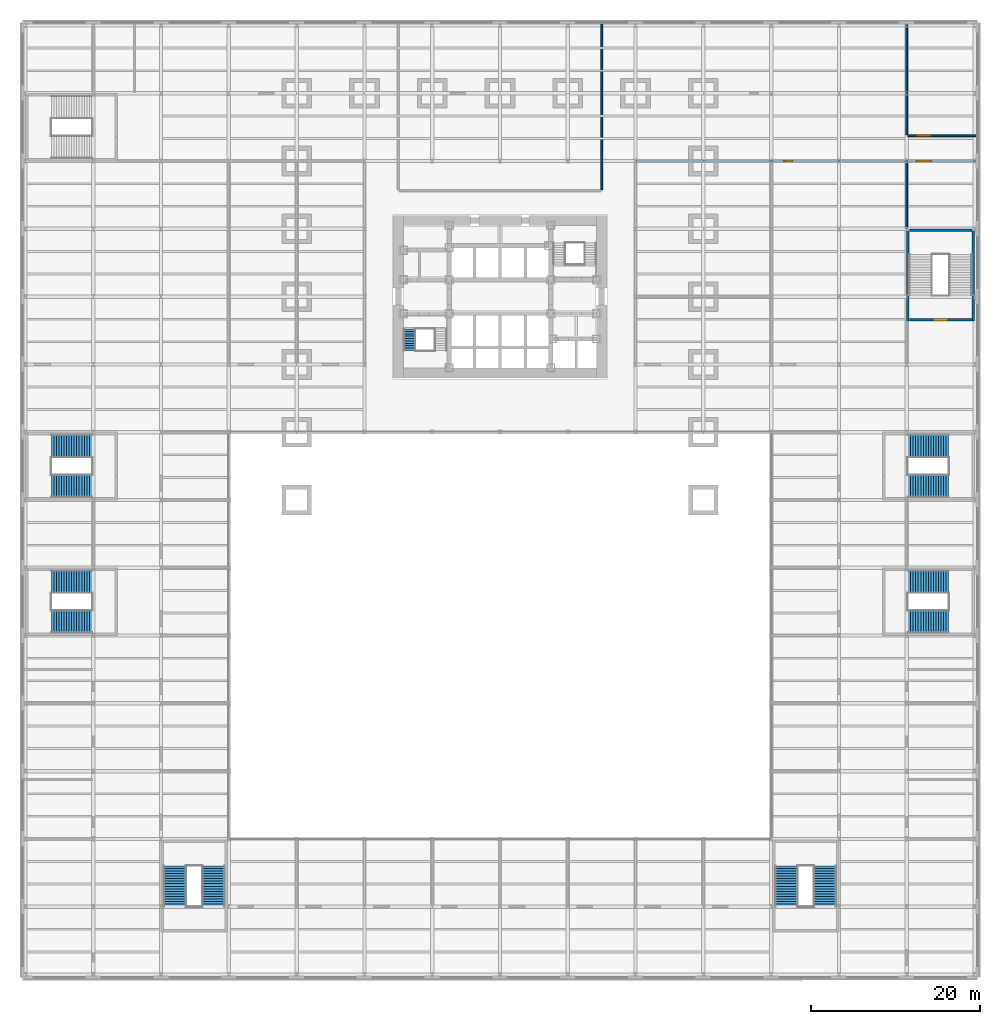
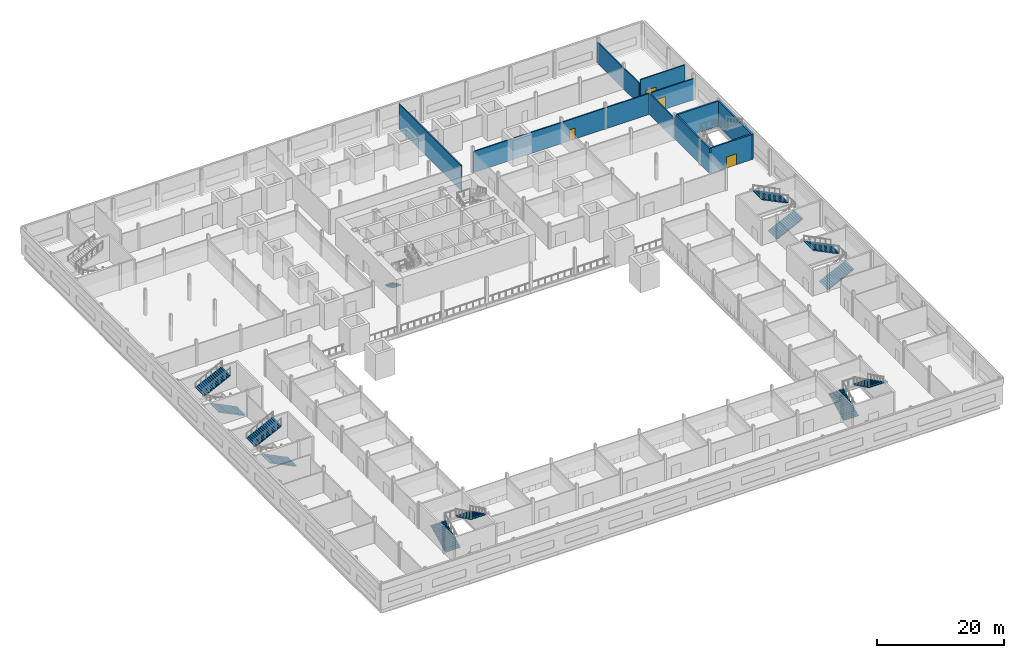
# One storey, part 16 of 22: 13 stair flights, 9 walls, 4 doors, 4 openings, 7 elements without a shape of their own.
"""IFC4 building model written with IfcOpenShell, lengths in metres."""

from ifc_helpers import new_model, si_unit, direction, frame, frame_2d, origin, place, context, subcontext, project, spatial, polyline, rectangle, outline, extrude, material, layer, layer_set, type_object, element, fill, aggregate, save


model = new_model("IFC4")

# Units and contexts
model_context = context("Model", 3, precision=1e-05, world=origin(), true_north=direction((0.0, 1.0)))
body_context = subcontext(model_context, "Body", "Model", "MODEL_VIEW")
ifc_project = project(units=[si_unit("LENGTHUNIT", "METRE"), si_unit("AREAUNIT", "SQUARE_METRE"), si_unit("VOLUMEUNIT", "CUBIC_METRE"), si_unit("PLANEANGLEUNIT", "RADIAN"), si_unit("MASSUNIT", "GRAM", prefix="KILO")], contexts=[model_context])

# Site, building, storey
site_placement = place(None, origin())
site = spatial("IfcSite", under=ifc_project, at=site_placement, CompositionType="ELEMENT")
building_placement = place(site_placement, origin())
building = spatial("IfcBuilding", under=site, at=building_placement, Name="Daluyong Arena Tower", CompositionType="ELEMENT")
storey_placement = place(building_placement, frame((0.0, 0.0, 9.89990234375)))
storey = spatial("IfcBuildingStorey", under=building, at=storey_placement, Name="L02", CompositionType="ELEMENT", Elevation=9.89990234375)

# Wall, openings, doors
ifc_material_1 = material(Name="Concrete block partition", Category="concrete")
ifc_layer_1 = layer(ifc_material_1, 0.199951171875)
ifc_layer_set_1 = layer_set([ifc_layer_1], Name="Concrete block partition")
wall_type_1 = type_object("IfcWallType", Name="Partition 200", PredefinedType="PARTITIONING", material=ifc_layer_set_1)
wall_1_placement = place(storey_placement, frame((72.10009765625, 96.0, 0.0), z_axis=(0.0, 0.0, 1.0), x_axis=(1.0, 0.0, 0.0)))
wall_1 = element("IfcWall", 1, at=wall_1_placement, inside=storey, type_object=wall_type_1, Name="partition at L02", PredefinedType="PARTITIONING", context=body_context, shape_type="SweptSolid", body=[
    extrude(rectangle(XDim=40.0498046875, YDim=0.199951171875, at=frame_2d((20.02490234375, 0.0))), origin(), (0.0, 0.0, 1.0), 4.02783203125),
])
opening_1_placement = place(wall_1_placement, frame((17.39990234375, 0.0, 0.0)))
opening_1 = element("IfcOpeningElement", 2, at=opening_1_placement, cuts=wall_1, Name="Opening 02060", PredefinedType="OPENING", context=body_context, shape_type="SweptSolid", body=[
    extrude(rectangle(XDim=1.0, YDim=2.10009765625, at=frame_2d((0.5, 1.050048828125))), frame((0.0, 0.10986328125, 0.0), z_axis=(0.0, -1.0, 0.0), x_axis=(1.0, 0.0, 0.0)), (0.0, 0.0, 1.0), 0.219970703125),
])
opening_2_placement = place(wall_1_placement, frame((33.0, 0.0, 0.0)))
opening_2 = element("IfcOpeningElement", 3, at=opening_2_placement, cuts=wall_1, Name="Opening 02061", PredefinedType="OPENING", context=body_context, shape_type="SweptSolid", body=[
    extrude(rectangle(XDim=1.800048828125, YDim=2.39990234375, at=frame_2d((0.89990234375, 1.199951171875))), frame((0.0, 0.10986328125, 0.0), z_axis=(0.0, -1.0, 0.0), x_axis=(1.0, 0.0, 0.0)), (0.0, 0.0, 1.0), 0.219970703125),
])
ifc_material_2 = material(Name="Timber door", Category="wood")
door_type_1 = type_object("IfcDoorType", Name="Assembly double door 1800", OperationType="DOUBLE_DOOR_DOUBLE_SWING", PredefinedType="DOOR", material=ifc_material_2)
door_1_placement = place(opening_2_placement, origin())
door_1 = element("IfcDoor", 4, at=door_1_placement, inside=storey, type_object=door_type_1, Name="club lounge door 02061", OperationType="DOUBLE_DOOR_DOUBLE_SWING", OverallHeight=2.39990234375, OverallWidth=1.800048828125, PredefinedType="DOOR", context=body_context, shape_type="SweptSolid", body=[
    extrude(rectangle(XDim=1.800048828125, YDim=2.39990234375, at=frame_2d((0.89990234375, 1.199951171875))), frame((0.0, 0.099609375, 0.0), z_axis=(0.0, -1.0, 0.0), x_axis=(1.0, 0.0, 0.0)), (0.0, 0.0, 1.0), 0.199462890625),
])
fill(opening_2, door_1)
ifc_material_3 = material(Name="Timber door", Category="wood")
door_type_2 = type_object("IfcDoorType", Name="Room door 1000", OperationType="SINGLE_SWING_LEFT", PredefinedType="DOOR", material=ifc_material_3)
door_2_placement = place(opening_1_placement, origin())
door_2 = element("IfcDoor", 5, at=door_2_placement, inside=storey, type_object=door_type_2, Name="club kitchen door 02060", OperationType="SINGLE_SWING_LEFT", OverallHeight=2.10009765625, OverallWidth=1.0, PredefinedType="DOOR", context=body_context, shape_type="SweptSolid", body=[
    extrude(rectangle(XDim=1.0, YDim=2.10009765625, at=frame_2d((0.5, 1.050048828125))), frame((0.0, 0.099609375, 0.0), z_axis=(0.0, -1.0, 0.0), x_axis=(1.0, 0.0, 0.0)), (0.0, 0.0, 1.0), 0.199462890625),
])
fill(opening_1, door_2)

# Wall, opening, door
wall_2_placement = place(storey_placement, frame((104.10009765625, 99.0, 0.0), z_axis=(0.0, 0.0, 1.0), x_axis=(1.0, 0.0, 0.0)))
wall_2 = element("IfcWall", 6, at=wall_2_placement, inside=storey, type_object=wall_type_1, Name="partition at L02", PredefinedType="PARTITIONING", context=body_context, shape_type="SweptSolid", body=[
    extrude(rectangle(XDim=8.0498046875, YDim=0.199951171875, at=frame_2d((4.02490234375, 0.0))), origin(), (0.0, 0.0, 1.0), 4.800048828125),
])
opening_3_placement = place(wall_2_placement, frame((1.0, 0.0, 0.0)))
opening_3 = element("IfcOpeningElement", 7, at=opening_3_placement, cuts=wall_2, Name="Opening 02067", PredefinedType="OPENING", context=body_context, shape_type="SweptSolid", body=[
    extrude(rectangle(XDim=1.800048828125, YDim=2.39990234375, at=frame_2d((0.89990234375, 1.199951171875))), frame((0.0, 0.10986328125, 0.0), z_axis=(0.0, -1.0, 0.0), x_axis=(1.0, 0.0, 0.0)), (0.0, 0.0, 1.0), 0.219970703125),
])
door_3_placement = place(opening_3_placement, origin())
door_3 = element("IfcDoor", 8, at=door_3_placement, inside=storey, type_object=door_type_1, Name="club bar door 02067", OperationType="DOUBLE_DOOR_DOUBLE_SWING", OverallHeight=2.39990234375, OverallWidth=1.800048828125, PredefinedType="DOOR", context=body_context, shape_type="SweptSolid", body=[
    extrude(rectangle(XDim=1.800048828125, YDim=2.39990234375, at=frame_2d((0.89990234375, 1.199951171875))), frame((0.0, 0.099609375, 0.0), z_axis=(0.0, -1.0, 0.0), x_axis=(1.0, 0.0, 0.0)), (0.0, 0.0, 1.0), 0.199462890625),
])
fill(opening_3, door_3)

# Walls
wall_3_placement = place(storey_placement, frame((68.0, 92.60009765625, 0.0), z_axis=(0.0, 0.0, 1.0), x_axis=(0.0, 1.0, 0.0)))
element("IfcWall", 9, at=wall_3_placement, inside=storey, type_object=wall_type_1, Name="partition at L02", PredefinedType="PARTITIONING", context=body_context, shape_type="SweptSolid", body=[
    extrude(rectangle(XDim=19.5498046875, YDim=0.199951171875, at=frame_2d((9.77490234375, 0.0))), origin(), (0.0, 0.0, 1.0), 4.800048828125),
])
wall_4_placement = place(storey_placement, frame((104.0, 88.10009765625, 0.0), z_axis=(0.0, 0.0, 1.0), x_axis=(0.0, 1.0, 0.0)))
element("IfcWall", 10, at=wall_4_placement, inside=storey, type_object=wall_type_1, Name="partition at L02", PredefinedType="PARTITIONING", context=body_context, shape_type="SweptSolid", body=[
    extrude(rectangle(XDim=7.7998046875, YDim=0.199951171875, at=frame_2d((3.89990234375, 0.0))), origin(), (0.0, 0.0, 1.0), 4.02783203125),
])
wall_5_placement = place(storey_placement, frame((104.0, 99.10009765625, 0.0), z_axis=(0.0, 0.0, 1.0), x_axis=(0.0, 1.0, 0.0)))
element("IfcWall", 11, at=wall_5_placement, inside=storey, type_object=wall_type_1, Name="partition at L02", PredefinedType="PARTITIONING", context=body_context, shape_type="SweptSolid", body=[
    extrude(rectangle(XDim=13.0498046875, YDim=0.199951171875, at=frame_2d((6.52490234375, 0.0))), origin(), (0.0, 0.0, 1.0), 4.02783203125),
])
ifc_material_4 = material(Name="Concrete fc' 35 MPa", Category="concrete")
ifc_layer_2 = layer(ifc_material_4, 0.300048828125)
ifc_layer_set_2 = layer_set([ifc_layer_2], Name="Concrete fc' 35 MPa")
wall_type_2 = type_object("IfcWallType", Name="Stair enclosure wall 300", PredefinedType="SOLIDWALL", material=ifc_layer_set_2)
for number, where, z_axis, x_axis, name in (
    (12, (104.14990234375, 77.14990234375, 0.0), (0.0, 0.0, 1.0), (0.0, 1.0, 0.0), "exit stair PS6 enclosure"),
    (13, (111.85009765625, 77.14990234375, 0.0), (0.0, 0.0, 1.0), (0.0, 1.0, 0.0), "exit stair PS6 enclosure"),
):
    element("IfcWall", number, at=place(storey_placement, frame(where, z_axis=z_axis, x_axis=x_axis)), inside=storey, type_object=wall_type_2, Name=name, PredefinedType="SOLIDWALL", context=body_context, shape_type="SweptSolid", body=[
        extrude(rectangle(XDim=10.641845703125, YDim=0.300048828125, at=frame_2d((5.32080078125, 0.0))), origin(), (0.0, 0.0, 1.0), 4.800048828125),
    ])

# Wall, opening, door
wall_6_placement = place(storey_placement, frame((104.300048828125, 77.300048828125, 0.0), z_axis=(0.0, 0.0, 1.0), x_axis=(1.0, 0.0, 0.0)))
wall_6 = element("IfcWall", 14, at=wall_6_placement, inside=storey, type_object=wall_type_2, Name="exit stair PS6 enclosure", PredefinedType="SOLIDWALL", context=body_context, shape_type="SweptSolid", body=[
    extrude(rectangle(XDim=7.39990234375, YDim=0.300048828125, at=frame_2d((3.699951171875, 0.0))), origin(), (0.0, 0.0, 1.0), 4.800048828125),
])
opening_4_placement = place(wall_6_placement, frame((2.800048828125, 0.0, 0.0)))
opening_4 = element("IfcOpeningElement", 15, at=opening_4_placement, cuts=wall_6, Name="Opening 02020", PredefinedType="OPENING", context=body_context, shape_type="SweptSolid", body=[
    extrude(rectangle(XDim=1.800048828125, YDim=2.10009765625, at=frame_2d((0.89990234375, 1.050048828125))), frame((0.0, 0.159912109375, 0.0), z_axis=(0.0, -1.0, 0.0), x_axis=(1.0, 0.0, 0.0)), (0.0, 0.0, 1.0), 0.320068359375),
])
ifc_material_5 = material(Name="Steel door, fire rated", Category="steel")
door_type_3 = type_object("IfcDoorType", Name="Exit stair double door 1800", OperationType="DOUBLE_DOOR_SINGLE_SWING", PredefinedType="DOOR", material=ifc_material_5)
door_4_placement = place(opening_4_placement, origin())
door_4 = element("IfcDoor", 16, at=door_4_placement, inside=storey, type_object=door_type_3, Name="exit stair PS6 door 02020", OperationType="DOUBLE_DOOR_SINGLE_SWING", OverallHeight=2.10009765625, OverallWidth=1.800048828125, PredefinedType="DOOR", context=body_context, shape_type="SweptSolid", body=[
    extrude(rectangle(XDim=1.800048828125, YDim=2.10009765625, at=frame_2d((0.89990234375, 1.050048828125))), frame((0.0, 0.14990234375, 0.0), z_axis=(0.0, -1.0, 0.0), x_axis=(1.0, 0.0, 0.0)), (0.0, 0.0, 1.0), 0.299560546875),
])
fill(opening_4, door_4)

# Wall
wall_7_placement = place(storey_placement, frame((104.300048828125, 87.85009765625, 0.0), z_axis=(0.0, 0.0, 1.0), x_axis=(1.0, 0.0, 0.0)))
element("IfcWall", 17, at=wall_7_placement, inside=storey, type_object=wall_type_2, Name="exit stair PS6 enclosure", PredefinedType="SOLIDWALL", context=body_context, shape_type="SweptSolid", body=[
    extrude(rectangle(XDim=7.39990234375, YDim=0.300048828125, at=frame_2d((3.699951171875, 0.0))), origin(), (0.0, 0.0, 1.0), 4.800048828125),
])

# Stair, stair flight
ifc_material_6 = material(Name="Concrete fc' 35 MPa", Category="concrete")
stair_type_1 = type_object("IfcStairType", Name="Core exit stair", PredefinedType="HALF_TURN_STAIR", material=ifc_material_6)
stair_1_placement = place(storey_placement, origin())
stair_1 = element("IfcStair", 18, at=stair_1_placement, inside=storey, type_object=stair_type_1, Name="exit stair A L02", PredefinedType="HALF_TURN_STAIR")
ifc_material_7 = material(Name="Concrete fc' 35 MPa", Category="concrete")
stair_flight_type_1 = type_object("IfcStairFlightType", Name="Core stair flight", PredefinedType="STRAIGHT", material=ifc_material_7)
stair_flight_1_placement = place(storey_placement, frame((45.324951171875, 76.175048828125, 0.0), z_axis=(0.0, 0.0, 1.0), x_axis=(0.0, -1.0, 0.0)))
stair_flight_1 = element("IfcStairFlight", 19, at=stair_flight_1_placement, type_object=stair_flight_type_1, Name="STA flight 1", NumberOfRisers=10, NumberOfTreads=9, PredefinedType="STRAIGHT", RiserHeight=0.125, TreadLength=0.28, context=body_context, shape_type="SweptSolid", body=[
    extrude(outline(polyline([(0.0, 0.0), (0.0, 0.125), (0.280029296875, 0.125), (0.280029296875, 0.25), (0.56005859375, 0.25), (0.56005859375, 0.375), (0.840087890625, 0.375), (0.840087890625, 0.5), (1.1201171875, 0.5), (1.1201171875, 0.625), (1.39990234375, 0.625), (1.39990234375, 0.75), (1.679931640625, 0.75), (1.679931640625, 0.875), (1.9599609375, 0.875), (1.9599609375, 1.0), (2.239990234375, 1.0), (2.239990234375, 1.125), (2.52001953125, 1.125), (2.52001953125, 1.25), (2.52001953125, 0.9609375), (0.36767578125, 0.0), (0.0, 0.0)])), frame((0.0, 0.72509765625, 0.0), z_axis=(0.0, -1.0, 0.0), x_axis=(1.0, 0.0, 0.0)), (0.0, 0.0, 1.0), 1.449951171875),
])
aggregate(stair_1, [stair_flight_1])

# Stair, stair flights
ifc_material_8 = material(Name="Concrete fc' 35 MPa", Category="concrete")
stair_type_2 = type_object("IfcStairType", Name="Podium exit stair", PredefinedType="HALF_TURN_STAIR", material=ifc_material_8)
stair_2_placement = place(storey_placement, origin())
stair_2 = element("IfcStair", 20, at=stair_2_placement, inside=storey, type_object=stair_type_2, Name="exit stair PS1 L02", PredefinedType="HALF_TURN_STAIR")
ifc_material_9 = material(Name="Concrete fc' 35 MPa", Category="concrete")
stair_flight_type_2 = type_object("IfcStairFlightType", Name="Podium stair flight", PredefinedType="STRAIGHT", material=ifc_material_9)
stair_flight_2_placement = place(storey_placement, frame((17.64990234375, 8.010009765625, 0.0), z_axis=(0.0, 0.0, 1.0), x_axis=(0.0, 1.0, 0.0)))
stair_flight_2 = element("IfcStairFlight", 21, at=stair_flight_2_placement, type_object=stair_flight_type_2, Name="PS1 flight 1", NumberOfRisers=17, NumberOfTreads=16, PredefinedType="STRAIGHT", RiserHeight=0.147058824, TreadLength=0.3, context=body_context, shape_type="SweptSolid", body=[
    extrude(outline(polyline([(0.0, 0.0), (0.0, 0.14697265625), (0.300048828125, 0.14697265625), (0.300048828125, 0.294189453125), (0.60009765625, 0.294189453125), (0.60009765625, 0.441162109375), (0.89990234375, 0.441162109375), (0.89990234375, 0.588134765625), (1.199951171875, 0.588134765625), (1.199951171875, 0.7353515625), (1.5, 0.7353515625), (1.5, 0.88232421875), (1.800048828125, 0.88232421875), (1.800048828125, 1.029296875), (2.10009765625, 1.029296875), (2.10009765625, 1.176513671875), (2.39990234375, 1.176513671875), (2.39990234375, 1.323486328125), (2.699951171875, 1.323486328125), (2.699951171875, 1.470703125), (3.0, 1.470703125), (3.0, 1.61767578125), (3.300048828125, 1.61767578125), (3.300048828125, 1.7646484375), (3.60009765625, 1.7646484375), (3.60009765625, 1.911865234375), (3.89990234375, 1.911865234375), (3.89990234375, 2.058837890625), (4.199951171875, 2.058837890625), (4.199951171875, 2.205810546875), (4.5, 2.205810546875), (4.5, 2.35302734375), (4.800048828125, 2.35302734375), (4.800048828125, 2.5), (4.800048828125, 2.18603515625), (0.340576171875, 0.0), (0.0, 0.0)])), frame((0.0, 1.35009765625, 0.0), z_axis=(0.0, -1.0, 0.0), x_axis=(1.0, 0.0, 0.0)), (0.0, 0.0, 1.0), 2.699951171875),
])
stair_flight_3_placement = place(storey_placement, frame((22.199951171875, 12.81005859375, 2.5), z_axis=(0.0, 0.0, 1.0), x_axis=(0.0, -1.0, 0.0)))
stair_flight_3 = element("IfcStairFlight", 22, at=stair_flight_3_placement, type_object=stair_flight_type_2, Name="PS1 flight 2", NumberOfRisers=17, NumberOfTreads=16, PredefinedType="STRAIGHT", RiserHeight=0.147058824, TreadLength=0.3, context=body_context, shape_type="SweptSolid", body=[
    extrude(outline(polyline([(0.0, 0.0), (0.0, 0.14697265625), (0.300048828125, 0.14697265625), (0.300048828125, 0.294189453125), (0.60009765625, 0.294189453125), (0.60009765625, 0.441162109375), (0.89990234375, 0.441162109375), (0.89990234375, 0.588134765625), (1.199951171875, 0.588134765625), (1.199951171875, 0.7353515625), (1.5, 0.7353515625), (1.5, 0.88232421875), (1.800048828125, 0.88232421875), (1.800048828125, 1.029296875), (2.10009765625, 1.029296875), (2.10009765625, 1.176513671875), (2.39990234375, 1.176513671875), (2.39990234375, 1.323486328125), (2.699951171875, 1.323486328125), (2.699951171875, 1.470703125), (3.0, 1.470703125), (3.0, 1.61767578125), (3.300048828125, 1.61767578125), (3.300048828125, 1.7646484375), (3.60009765625, 1.7646484375), (3.60009765625, 1.911865234375), (3.89990234375, 1.911865234375), (3.89990234375, 2.058837890625), (4.199951171875, 2.058837890625), (4.199951171875, 2.205810546875), (4.5, 2.205810546875), (4.5, 2.35302734375), (4.800048828125, 2.35302734375), (4.800048828125, 2.5), (4.800048828125, 2.18603515625), (0.340576171875, 0.0), (0.0, 0.0)])), frame((0.0, 1.35009765625, 0.0), z_axis=(0.0, -1.0, 0.0), x_axis=(1.0, 0.0, 0.0)), (0.0, 0.0, 1.0), 2.699951171875),
])
aggregate(stair_2, [stair_flight_2, stair_flight_3])

stair_3_placement = place(storey_placement, origin())
stair_3 = element("IfcStair", 23, at=stair_3_placement, inside=storey, type_object=stair_type_2, Name="exit stair PS2 L02", PredefinedType="HALF_TURN_STAIR")
stair_flight_4_placement = place(storey_placement, frame((89.800048828125, 8.010009765625, 0.0), z_axis=(0.0, 0.0, 1.0), x_axis=(0.0, 1.0, 0.0)))
stair_flight_4 = element("IfcStairFlight", 24, at=stair_flight_4_placement, type_object=stair_flight_type_2, Name="PS2 flight 1", NumberOfRisers=17, NumberOfTreads=16, PredefinedType="STRAIGHT", RiserHeight=0.147058824, TreadLength=0.3, context=body_context, shape_type="SweptSolid", body=[
    extrude(outline(polyline([(0.0, 0.0), (0.0, 0.14697265625), (0.300048828125, 0.14697265625), (0.300048828125, 0.294189453125), (0.60009765625, 0.294189453125), (0.60009765625, 0.441162109375), (0.89990234375, 0.441162109375), (0.89990234375, 0.588134765625), (1.199951171875, 0.588134765625), (1.199951171875, 0.7353515625), (1.5, 0.7353515625), (1.5, 0.88232421875), (1.800048828125, 0.88232421875), (1.800048828125, 1.029296875), (2.10009765625, 1.029296875), (2.10009765625, 1.176513671875), (2.39990234375, 1.176513671875), (2.39990234375, 1.323486328125), (2.699951171875, 1.323486328125), (2.699951171875, 1.470703125), (3.0, 1.470703125), (3.0, 1.61767578125), (3.300048828125, 1.61767578125), (3.300048828125, 1.7646484375), (3.60009765625, 1.7646484375), (3.60009765625, 1.911865234375), (3.89990234375, 1.911865234375), (3.89990234375, 2.058837890625), (4.199951171875, 2.058837890625), (4.199951171875, 2.205810546875), (4.5, 2.205810546875), (4.5, 2.35302734375), (4.800048828125, 2.35302734375), (4.800048828125, 2.5), (4.800048828125, 2.18603515625), (0.340576171875, 0.0), (0.0, 0.0)])), frame((0.0, 1.35009765625, 0.0), z_axis=(0.0, -1.0, 0.0), x_axis=(1.0, 0.0, 0.0)), (0.0, 0.0, 1.0), 2.699951171875),
])
stair_flight_5_placement = place(storey_placement, frame((94.35009765625, 12.81005859375, 2.5), z_axis=(0.0, 0.0, 1.0), x_axis=(0.0, -1.0, 0.0)))
stair_flight_5 = element("IfcStairFlight", 25, at=stair_flight_5_placement, type_object=stair_flight_type_2, Name="PS2 flight 2", NumberOfRisers=17, NumberOfTreads=16, PredefinedType="STRAIGHT", RiserHeight=0.147058824, TreadLength=0.3, context=body_context, shape_type="SweptSolid", body=[
    extrude(outline(polyline([(0.0, 0.0), (0.0, 0.14697265625), (0.300048828125, 0.14697265625), (0.300048828125, 0.294189453125), (0.60009765625, 0.294189453125), (0.60009765625, 0.441162109375), (0.89990234375, 0.441162109375), (0.89990234375, 0.588134765625), (1.199951171875, 0.588134765625), (1.199951171875, 0.7353515625), (1.5, 0.7353515625), (1.5, 0.88232421875), (1.800048828125, 0.88232421875), (1.800048828125, 1.029296875), (2.10009765625, 1.029296875), (2.10009765625, 1.176513671875), (2.39990234375, 1.176513671875), (2.39990234375, 1.323486328125), (2.699951171875, 1.323486328125), (2.699951171875, 1.470703125), (3.0, 1.470703125), (3.0, 1.61767578125), (3.300048828125, 1.61767578125), (3.300048828125, 1.7646484375), (3.60009765625, 1.7646484375), (3.60009765625, 1.911865234375), (3.89990234375, 1.911865234375), (3.89990234375, 2.058837890625), (4.199951171875, 2.058837890625), (4.199951171875, 2.205810546875), (4.5, 2.205810546875), (4.5, 2.35302734375), (4.800048828125, 2.35302734375), (4.800048828125, 2.5), (4.800048828125, 2.18603515625), (0.340576171875, 0.0), (0.0, 0.0)])), frame((0.0, 1.35009765625, 0.0), z_axis=(0.0, -1.0, 0.0), x_axis=(1.0, 0.0, 0.0)), (0.0, 0.0, 1.0), 2.699951171875),
])
aggregate(stair_3, [stair_flight_4, stair_flight_5])

stair_4_placement = place(storey_placement, origin())
stair_4 = element("IfcStair", 26, at=stair_4_placement, inside=storey, type_object=stair_type_2, Name="exit stair PS3 L02", PredefinedType="HALF_TURN_STAIR")
stair_flight_6_placement = place(storey_placement, frame((7.840087890625, 41.64990234375, 0.0), z_axis=(0.0, 0.0, 1.0), x_axis=(-1.0, 0.0, 0.0)))
stair_flight_6 = element("IfcStairFlight", 27, at=stair_flight_6_placement, type_object=stair_flight_type_2, Name="PS3 flight 1", NumberOfRisers=17, NumberOfTreads=16, PredefinedType="STRAIGHT", RiserHeight=0.147058824, TreadLength=0.3, context=body_context, shape_type="SweptSolid", body=[
    extrude(outline(polyline([(0.0, 0.0), (0.0, 0.14697265625), (0.300048828125, 0.14697265625), (0.300048828125, 0.294189453125), (0.60009765625, 0.294189453125), (0.60009765625, 0.441162109375), (0.89990234375, 0.441162109375), (0.89990234375, 0.588134765625), (1.199951171875, 0.588134765625), (1.199951171875, 0.7353515625), (1.5, 0.7353515625), (1.5, 0.88232421875), (1.800048828125, 0.88232421875), (1.800048828125, 1.029296875), (2.10009765625, 1.029296875), (2.10009765625, 1.176513671875), (2.39990234375, 1.176513671875), (2.39990234375, 1.323486328125), (2.699951171875, 1.323486328125), (2.699951171875, 1.470703125), (3.0, 1.470703125), (3.0, 1.61767578125), (3.300048828125, 1.61767578125), (3.300048828125, 1.7646484375), (3.60009765625, 1.7646484375), (3.60009765625, 1.911865234375), (3.89990234375, 1.911865234375), (3.89990234375, 2.058837890625), (4.199951171875, 2.058837890625), (4.199951171875, 2.205810546875), (4.5, 2.205810546875), (4.5, 2.35302734375), (4.800048828125, 2.35302734375), (4.800048828125, 2.5), (4.800048828125, 2.18603515625), (0.340576171875, 0.0), (0.0, 0.0)])), frame((0.0, 1.35009765625, 0.0), z_axis=(0.0, -1.0, 0.0), x_axis=(1.0, 0.0, 0.0)), (0.0, 0.0, 1.0), 2.699951171875),
])
stair_flight_7_placement = place(storey_placement, frame((3.0400390625, 46.35009765625, 2.5), z_axis=(0.0, 0.0, 1.0), x_axis=(1.0, 0.0, 0.0)))
stair_flight_7 = element("IfcStairFlight", 28, at=stair_flight_7_placement, type_object=stair_flight_type_2, Name="PS3 flight 2", NumberOfRisers=17, NumberOfTreads=16, PredefinedType="STRAIGHT", RiserHeight=0.147058824, TreadLength=0.3, context=body_context, shape_type="SweptSolid", body=[
    extrude(outline(polyline([(0.0, 0.0), (0.0, 0.14697265625), (0.300048828125, 0.14697265625), (0.300048828125, 0.294189453125), (0.60009765625, 0.294189453125), (0.60009765625, 0.441162109375), (0.89990234375, 0.441162109375), (0.89990234375, 0.588134765625), (1.199951171875, 0.588134765625), (1.199951171875, 0.7353515625), (1.5, 0.7353515625), (1.5, 0.88232421875), (1.800048828125, 0.88232421875), (1.800048828125, 1.029296875), (2.10009765625, 1.029296875), (2.10009765625, 1.176513671875), (2.39990234375, 1.176513671875), (2.39990234375, 1.323486328125), (2.699951171875, 1.323486328125), (2.699951171875, 1.470703125), (3.0, 1.470703125), (3.0, 1.61767578125), (3.300048828125, 1.61767578125), (3.300048828125, 1.7646484375), (3.60009765625, 1.7646484375), (3.60009765625, 1.911865234375), (3.89990234375, 1.911865234375), (3.89990234375, 2.058837890625), (4.199951171875, 2.058837890625), (4.199951171875, 2.205810546875), (4.5, 2.205810546875), (4.5, 2.35302734375), (4.800048828125, 2.35302734375), (4.800048828125, 2.5), (4.800048828125, 2.18603515625), (0.340576171875, 0.0), (0.0, 0.0)])), frame((0.0, 1.35009765625, 0.0), z_axis=(0.0, -1.0, 0.0), x_axis=(1.0, 0.0, 0.0)), (0.0, 0.0, 1.0), 2.699951171875),
])
aggregate(stair_4, [stair_flight_6, stair_flight_7])

stair_5_placement = place(storey_placement, origin())
stair_5 = element("IfcStair", 29, at=stair_5_placement, inside=storey, type_object=stair_type_2, Name="exit stair PS4 L02", PredefinedType="HALF_TURN_STAIR")
stair_flight_8_placement = place(storey_placement, frame((104.159912109375, 41.64990234375, 0.0), z_axis=(0.0, 0.0, 1.0), x_axis=(1.0, 0.0, 0.0)))
stair_flight_8 = element("IfcStairFlight", 30, at=stair_flight_8_placement, type_object=stair_flight_type_2, Name="PS4 flight 1", NumberOfRisers=17, NumberOfTreads=16, PredefinedType="STRAIGHT", RiserHeight=0.147058824, TreadLength=0.3, context=body_context, shape_type="SweptSolid", body=[
    extrude(outline(polyline([(0.0, 0.0), (0.0, 0.14697265625), (0.300048828125, 0.14697265625), (0.300048828125, 0.294189453125), (0.60009765625, 0.294189453125), (0.60009765625, 0.441162109375), (0.89990234375, 0.441162109375), (0.89990234375, 0.588134765625), (1.199951171875, 0.588134765625), (1.199951171875, 0.7353515625), (1.5, 0.7353515625), (1.5, 0.88232421875), (1.800048828125, 0.88232421875), (1.800048828125, 1.029296875), (2.10009765625, 1.029296875), (2.10009765625, 1.176513671875), (2.39990234375, 1.176513671875), (2.39990234375, 1.323486328125), (2.699951171875, 1.323486328125), (2.699951171875, 1.470703125), (3.0, 1.470703125), (3.0, 1.61767578125), (3.300048828125, 1.61767578125), (3.300048828125, 1.7646484375), (3.60009765625, 1.7646484375), (3.60009765625, 1.911865234375), (3.89990234375, 1.911865234375), (3.89990234375, 2.058837890625), (4.199951171875, 2.058837890625), (4.199951171875, 2.205810546875), (4.5, 2.205810546875), (4.5, 2.35302734375), (4.800048828125, 2.35302734375), (4.800048828125, 2.5), (4.800048828125, 2.18603515625), (0.340576171875, 0.0), (0.0, 0.0)])), frame((0.0, 1.35009765625, 0.0), z_axis=(0.0, -1.0, 0.0), x_axis=(1.0, 0.0, 0.0)), (0.0, 0.0, 1.0), 2.699951171875),
])
stair_flight_9_placement = place(storey_placement, frame((108.9599609375, 46.35009765625, 2.5), z_axis=(0.0, 0.0, 1.0), x_axis=(-1.0, 0.0, 0.0)))
stair_flight_9 = element("IfcStairFlight", 31, at=stair_flight_9_placement, type_object=stair_flight_type_2, Name="PS4 flight 2", NumberOfRisers=17, NumberOfTreads=16, PredefinedType="STRAIGHT", RiserHeight=0.147058824, TreadLength=0.3, context=body_context, shape_type="SweptSolid", body=[
    extrude(outline(polyline([(0.0, 0.0), (0.0, 0.14697265625), (0.300048828125, 0.14697265625), (0.300048828125, 0.294189453125), (0.60009765625, 0.294189453125), (0.60009765625, 0.441162109375), (0.89990234375, 0.441162109375), (0.89990234375, 0.588134765625), (1.199951171875, 0.588134765625), (1.199951171875, 0.7353515625), (1.5, 0.7353515625), (1.5, 0.88232421875), (1.800048828125, 0.88232421875), (1.800048828125, 1.029296875), (2.10009765625, 1.029296875), (2.10009765625, 1.176513671875), (2.39990234375, 1.176513671875), (2.39990234375, 1.323486328125), (2.699951171875, 1.323486328125), (2.699951171875, 1.470703125), (3.0, 1.470703125), (3.0, 1.61767578125), (3.300048828125, 1.61767578125), (3.300048828125, 1.7646484375), (3.60009765625, 1.7646484375), (3.60009765625, 1.911865234375), (3.89990234375, 1.911865234375), (3.89990234375, 2.058837890625), (4.199951171875, 2.058837890625), (4.199951171875, 2.205810546875), (4.5, 2.205810546875), (4.5, 2.35302734375), (4.800048828125, 2.35302734375), (4.800048828125, 2.5), (4.800048828125, 2.18603515625), (0.340576171875, 0.0), (0.0, 0.0)])), frame((0.0, 1.35009765625, 0.0), z_axis=(0.0, -1.0, 0.0), x_axis=(1.0, 0.0, 0.0)), (0.0, 0.0, 1.0), 2.699951171875),
])
aggregate(stair_5, [stair_flight_8, stair_flight_9])

stair_6_placement = place(storey_placement, origin())
stair_6 = element("IfcStair", 32, at=stair_6_placement, inside=storey, type_object=stair_type_2, Name="exit stair PS7 L02", PredefinedType="HALF_TURN_STAIR")
stair_flight_10_placement = place(storey_placement, frame((7.840087890625, 57.64990234375, 0.0), z_axis=(0.0, 0.0, 1.0), x_axis=(-1.0, 0.0, 0.0)))
stair_flight_10 = element("IfcStairFlight", 33, at=stair_flight_10_placement, type_object=stair_flight_type_2, Name="PS7 flight 1", NumberOfRisers=17, NumberOfTreads=16, PredefinedType="STRAIGHT", RiserHeight=0.147058824, TreadLength=0.3, context=body_context, shape_type="SweptSolid", body=[
    extrude(outline(polyline([(0.0, 0.0), (0.0, 0.14697265625), (0.300048828125, 0.14697265625), (0.300048828125, 0.294189453125), (0.60009765625, 0.294189453125), (0.60009765625, 0.441162109375), (0.89990234375, 0.441162109375), (0.89990234375, 0.588134765625), (1.199951171875, 0.588134765625), (1.199951171875, 0.7353515625), (1.5, 0.7353515625), (1.5, 0.88232421875), (1.800048828125, 0.88232421875), (1.800048828125, 1.029296875), (2.10009765625, 1.029296875), (2.10009765625, 1.176513671875), (2.39990234375, 1.176513671875), (2.39990234375, 1.323486328125), (2.699951171875, 1.323486328125), (2.699951171875, 1.470703125), (3.0, 1.470703125), (3.0, 1.61767578125), (3.300048828125, 1.61767578125), (3.300048828125, 1.7646484375), (3.60009765625, 1.7646484375), (3.60009765625, 1.911865234375), (3.89990234375, 1.911865234375), (3.89990234375, 2.058837890625), (4.199951171875, 2.058837890625), (4.199951171875, 2.205810546875), (4.5, 2.205810546875), (4.5, 2.35302734375), (4.800048828125, 2.35302734375), (4.800048828125, 2.5), (4.800048828125, 2.18603515625), (0.340576171875, 0.0), (0.0, 0.0)])), frame((0.0, 1.35009765625, 0.0), z_axis=(0.0, -1.0, 0.0), x_axis=(1.0, 0.0, 0.0)), (0.0, 0.0, 1.0), 2.699951171875),
])
stair_flight_11_placement = place(storey_placement, frame((3.0400390625, 62.35009765625, 2.5), z_axis=(0.0, 0.0, 1.0), x_axis=(1.0, 0.0, 0.0)))
stair_flight_11 = element("IfcStairFlight", 34, at=stair_flight_11_placement, type_object=stair_flight_type_2, Name="PS7 flight 2", NumberOfRisers=17, NumberOfTreads=16, PredefinedType="STRAIGHT", RiserHeight=0.147058824, TreadLength=0.3, context=body_context, shape_type="SweptSolid", body=[
    extrude(outline(polyline([(0.0, 0.0), (0.0, 0.14697265625), (0.300048828125, 0.14697265625), (0.300048828125, 0.294189453125), (0.60009765625, 0.294189453125), (0.60009765625, 0.441162109375), (0.89990234375, 0.441162109375), (0.89990234375, 0.588134765625), (1.199951171875, 0.588134765625), (1.199951171875, 0.7353515625), (1.5, 0.7353515625), (1.5, 0.88232421875), (1.800048828125, 0.88232421875), (1.800048828125, 1.029296875), (2.10009765625, 1.029296875), (2.10009765625, 1.176513671875), (2.39990234375, 1.176513671875), (2.39990234375, 1.323486328125), (2.699951171875, 1.323486328125), (2.699951171875, 1.470703125), (3.0, 1.470703125), (3.0, 1.61767578125), (3.300048828125, 1.61767578125), (3.300048828125, 1.7646484375), (3.60009765625, 1.7646484375), (3.60009765625, 1.911865234375), (3.89990234375, 1.911865234375), (3.89990234375, 2.058837890625), (4.199951171875, 2.058837890625), (4.199951171875, 2.205810546875), (4.5, 2.205810546875), (4.5, 2.35302734375), (4.800048828125, 2.35302734375), (4.800048828125, 2.5), (4.800048828125, 2.18603515625), (0.340576171875, 0.0), (0.0, 0.0)])), frame((0.0, 1.35009765625, 0.0), z_axis=(0.0, -1.0, 0.0), x_axis=(1.0, 0.0, 0.0)), (0.0, 0.0, 1.0), 2.699951171875),
])
aggregate(stair_6, [stair_flight_10, stair_flight_11])

stair_7_placement = place(storey_placement, origin())
stair_7 = element("IfcStair", 35, at=stair_7_placement, inside=storey, type_object=stair_type_2, Name="exit stair PS8 L02", PredefinedType="HALF_TURN_STAIR")
stair_flight_12_placement = place(storey_placement, frame((104.159912109375, 57.64990234375, 0.0), z_axis=(0.0, 0.0, 1.0), x_axis=(1.0, 0.0, 0.0)))
stair_flight_12 = element("IfcStairFlight", 36, at=stair_flight_12_placement, type_object=stair_flight_type_2, Name="PS8 flight 1", NumberOfRisers=17, NumberOfTreads=16, PredefinedType="STRAIGHT", RiserHeight=0.147058824, TreadLength=0.3, context=body_context, shape_type="SweptSolid", body=[
    extrude(outline(polyline([(0.0, 0.0), (0.0, 0.14697265625), (0.300048828125, 0.14697265625), (0.300048828125, 0.294189453125), (0.60009765625, 0.294189453125), (0.60009765625, 0.441162109375), (0.89990234375, 0.441162109375), (0.89990234375, 0.588134765625), (1.199951171875, 0.588134765625), (1.199951171875, 0.7353515625), (1.5, 0.7353515625), (1.5, 0.88232421875), (1.800048828125, 0.88232421875), (1.800048828125, 1.029296875), (2.10009765625, 1.029296875), (2.10009765625, 1.176513671875), (2.39990234375, 1.176513671875), (2.39990234375, 1.323486328125), (2.699951171875, 1.323486328125), (2.699951171875, 1.470703125), (3.0, 1.470703125), (3.0, 1.61767578125), (3.300048828125, 1.61767578125), (3.300048828125, 1.7646484375), (3.60009765625, 1.7646484375), (3.60009765625, 1.911865234375), (3.89990234375, 1.911865234375), (3.89990234375, 2.058837890625), (4.199951171875, 2.058837890625), (4.199951171875, 2.205810546875), (4.5, 2.205810546875), (4.5, 2.35302734375), (4.800048828125, 2.35302734375), (4.800048828125, 2.5), (4.800048828125, 2.18603515625), (0.340576171875, 0.0), (0.0, 0.0)])), frame((0.0, 1.35009765625, 0.0), z_axis=(0.0, -1.0, 0.0), x_axis=(1.0, 0.0, 0.0)), (0.0, 0.0, 1.0), 2.699951171875),
])
stair_flight_13_placement = place(storey_placement, frame((108.9599609375, 62.35009765625, 2.5), z_axis=(0.0, 0.0, 1.0), x_axis=(-1.0, 0.0, 0.0)))
stair_flight_13 = element("IfcStairFlight", 37, at=stair_flight_13_placement, type_object=stair_flight_type_2, Name="PS8 flight 2", NumberOfRisers=17, NumberOfTreads=16, PredefinedType="STRAIGHT", RiserHeight=0.147058824, TreadLength=0.3, context=body_context, shape_type="SweptSolid", body=[
    extrude(outline(polyline([(0.0, 0.0), (0.0, 0.14697265625), (0.300048828125, 0.14697265625), (0.300048828125, 0.294189453125), (0.60009765625, 0.294189453125), (0.60009765625, 0.441162109375), (0.89990234375, 0.441162109375), (0.89990234375, 0.588134765625), (1.199951171875, 0.588134765625), (1.199951171875, 0.7353515625), (1.5, 0.7353515625), (1.5, 0.88232421875), (1.800048828125, 0.88232421875), (1.800048828125, 1.029296875), (2.10009765625, 1.029296875), (2.10009765625, 1.176513671875), (2.39990234375, 1.176513671875), (2.39990234375, 1.323486328125), (2.699951171875, 1.323486328125), (2.699951171875, 1.470703125), (3.0, 1.470703125), (3.0, 1.61767578125), (3.300048828125, 1.61767578125), (3.300048828125, 1.7646484375), (3.60009765625, 1.7646484375), (3.60009765625, 1.911865234375), (3.89990234375, 1.911865234375), (3.89990234375, 2.058837890625), (4.199951171875, 2.058837890625), (4.199951171875, 2.205810546875), (4.5, 2.205810546875), (4.5, 2.35302734375), (4.800048828125, 2.35302734375), (4.800048828125, 2.5), (4.800048828125, 2.18603515625), (0.340576171875, 0.0), (0.0, 0.0)])), frame((0.0, 1.35009765625, 0.0), z_axis=(0.0, -1.0, 0.0), x_axis=(1.0, 0.0, 0.0)), (0.0, 0.0, 1.0), 2.699951171875),
])
aggregate(stair_7, [stair_flight_12, stair_flight_13])

save(model, "model.ifc")
